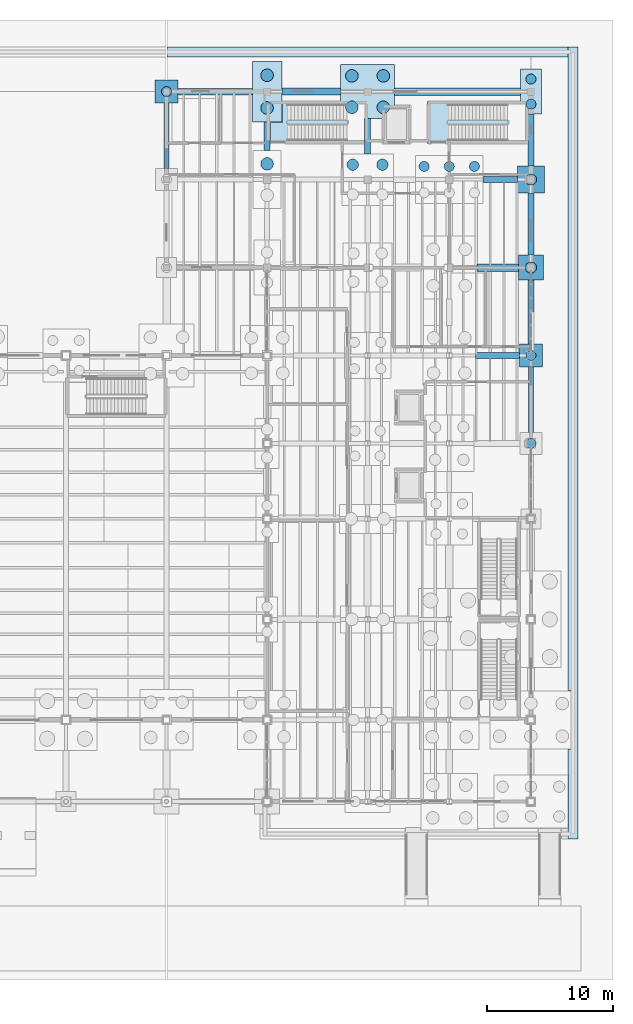
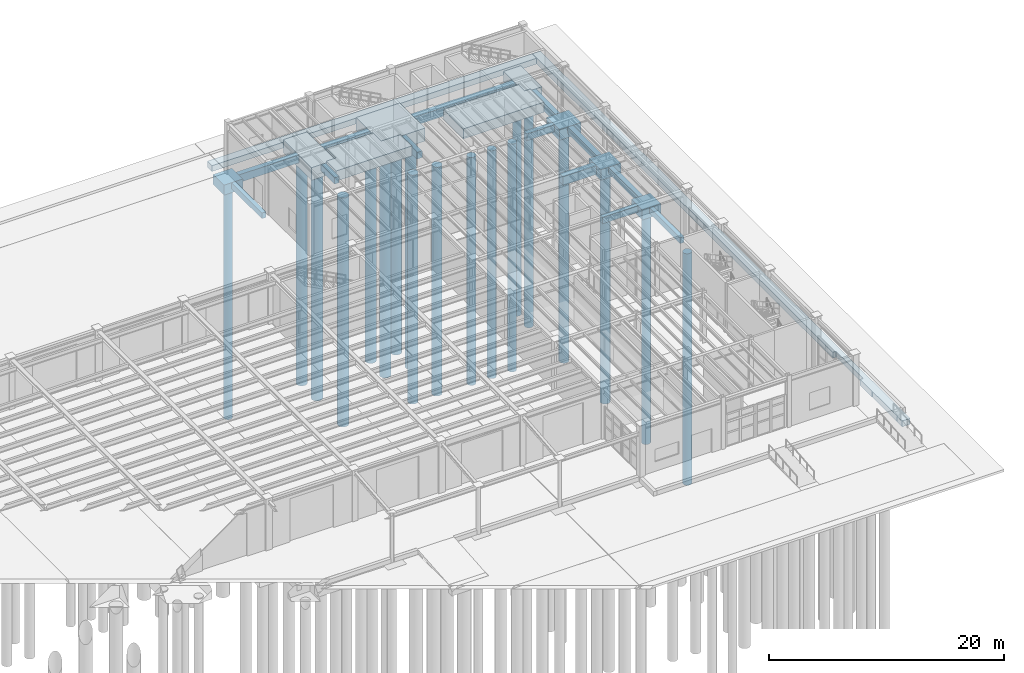
# One storey, part 10 of 86: 24 footings, 19 piles.
"""IFC4 building model written with IfcOpenShell, lengths in metres."""

from ifc_helpers import new_model, si_unit, direction, frame, origin, origin_2d, place, context, subcontext, project, spatial, polyline, rectangle, circle, outline, extrude, material, material_profile, profile_set, type_object, element, save


model = new_model("IFC4")

# Units and contexts
model_context = context("Model", 3, precision=1e-05, world=origin(), true_north=direction((0.0, 1.0)))
body_context = subcontext(model_context, "Body", "Model", "MODEL_VIEW")
ifc_project = project(units=[si_unit("LENGTHUNIT", "METRE"), si_unit("AREAUNIT", "SQUARE_METRE"), si_unit("VOLUMEUNIT", "CUBIC_METRE"), si_unit("PLANEANGLEUNIT", "RADIAN"), si_unit("MASSUNIT", "GRAM", prefix="KILO"), si_unit("THERMODYNAMICTEMPERATUREUNIT", "KELVIN"), si_unit("POWERUNIT", "WATT")], contexts=[model_context])

# Site, building, storey
site_placement = place(None, origin())
site = spatial("IfcSite", under=ifc_project, at=site_placement, CompositionType="ELEMENT")
building_placement = place(site_placement, origin())
building = spatial("IfcBuilding", under=site, at=building_placement, Name="Zhenchuan Central Fire Station", CompositionType="ELEMENT")
storey_placement = place(building_placement, frame((0.0, 0.0, 0.449951171875)))
storey = spatial("IfcBuildingStorey", under=building, at=storey_placement, Name="L01", CompositionType="ELEMENT", Elevation=0.449951171875)

# Footings
ifc_material_1 = material(Name="Concrete C35/45", Category="concrete")
footing_type_1 = type_object("IfcFootingType", Name="FB-400x600", PredefinedType="FOOTING_BEAM", material=ifc_material_1)
footing_1_placement = place(storey_placement, frame((0.0, 0.0, -1.050048828125)))
element("IfcFooting", 1, at=footing_1_placement, inside=storey, type_object=footing_type_1, Name="Foundation Tie Beam FB-Y-191", PredefinedType="FOOTING_BEAM", context=body_context, shape_type="SweptSolid", body=[
    extrude(outline(polyline([(131.800048828125, 50.375), (132.199951171875, 50.375), (132.199951171875, 55.574951171875), (131.800048828125, 55.574951171875), (131.800048828125, 50.375)])), origin(), (0.0, 0.0, 1.0), 0.60009765625),
])
footing_2_placement = place(storey_placement, frame((0.0, 0.0, -1.050048828125)))
element("IfcFooting", 2, at=footing_2_placement, inside=storey, type_object=footing_type_1, Name="Foundation Tie Beam FB-Y-219", PredefinedType="FOOTING_BEAM", context=body_context, shape_type="SweptSolid", body=[
    extrude(outline(polyline([(160.800048828125, 29.375), (161.199951171875, 29.375), (161.199951171875, 34.574951171875), (160.800048828125, 34.574951171875), (160.800048828125, 29.375)])), origin(), (0.0, 0.0, 1.0), 0.60009765625),
])
footing_type_2 = type_object("IfcFootingType", Name="FB-450x650", PredefinedType="FOOTING_BEAM", material=ifc_material_1)
footing_3_placement = place(storey_placement, frame((0.0, 0.0, -1.099853515625)))
element("IfcFooting", 3, at=footing_3_placement, inside=storey, type_object=footing_type_2, Name="Foundation Tie Beam FB-X-087", PredefinedType="FOOTING_BEAM", context=body_context, shape_type="SweptSolid", body=[
    extrude(outline(polyline([(156.60009765625, 35.27490234375), (160.074951171875, 35.27490234375), (160.074951171875, 35.72509765625), (156.60009765625, 35.72509765625), (156.60009765625, 35.27490234375)])), origin(), (0.0, 0.0, 1.0), 0.64990234375),
])
footing_4_placement = place(storey_placement, frame((0.0, 0.0, -1.099853515625)))
element("IfcFooting", 4, at=footing_4_placement, inside=storey, type_object=footing_type_2, Name="Foundation Tie Beam FB-Y-199", PredefinedType="FOOTING_BEAM", context=body_context, shape_type="SweptSolid", body=[
    extrude(outline(polyline([(139.77490234375, 51.800048828125), (140.22509765625, 51.800048828125), (140.22509765625, 54.10009765625), (139.77490234375, 54.10009765625), (139.77490234375, 51.800048828125)])), origin(), (0.0, 0.0, 1.0), 0.64990234375),
])
footing_5_placement = place(storey_placement, frame((0.0, 0.0, -1.099853515625)))
element("IfcFooting", 5, at=footing_5_placement, inside=storey, type_object=footing_type_2, Name="Foundation Tie Beam FB-Y-220", PredefinedType="FOOTING_BEAM", context=body_context, shape_type="SweptSolid", body=[
    extrude(outline(polyline([(160.77490234375, 36.425048828125), (161.22509765625, 36.425048828125), (161.22509765625, 41.5), (160.77490234375, 41.5), (160.77490234375, 36.425048828125)])), origin(), (0.0, 0.0, 1.0), 0.64990234375),
])
footing_type_3 = type_object("IfcFootingType", Name="FB-500x700", PredefinedType="FOOTING_BEAM", material=ifc_material_1)
footing_6_placement = place(storey_placement, frame((0.0, 0.0, -1.14990234375)))
element("IfcFooting", 6, at=footing_6_placement, inside=storey, type_object=footing_type_3, Name="Foundation Tie Beam FB-X-109", PredefinedType="FOOTING_BEAM", context=body_context, shape_type="SweptSolid", body=[
    extrude(outline(polyline([(157.199951171875, 49.25), (159.925048828125, 49.25), (159.925048828125, 49.75), (157.199951171875, 49.75), (157.199951171875, 49.25)])), origin(), (0.0, 0.0, 1.0), 0.699951171875),
])
footing_7_placement = place(storey_placement, frame((0.0, 0.0, -1.14990234375)))
element("IfcFooting", 7, at=footing_7_placement, inside=storey, type_object=footing_type_3, Name="Foundation Tie Beam FB-Y-207", PredefinedType="FOOTING_BEAM", context=body_context, shape_type="SweptSolid", body=[
    extrude(outline(polyline([(147.75, 51.550048828125), (148.25, 51.550048828125), (148.25, 54.35009765625), (147.75, 54.35009765625), (147.75, 51.550048828125)])), origin(), (0.0, 0.0, 1.0), 0.699951171875),
])
footing_8_placement = place(storey_placement, frame((0.0, 0.0, -1.14990234375)))
element("IfcFooting", 8, at=footing_8_placement, inside=storey, type_object=footing_type_3, Name="Foundation Tie Beam FB-Y-221", PredefinedType="FOOTING_BEAM", context=body_context, shape_type="SweptSolid", body=[
    extrude(outline(polyline([(160.75, 43.5), (161.25, 43.5), (161.25, 48.425048828125), (160.75, 48.425048828125), (160.75, 43.5)])), origin(), (0.0, 0.0, 1.0), 0.699951171875),
])
footing_type_4 = type_object("IfcFootingType", Name="FB-500x800", PredefinedType="FOOTING_BEAM", material=ifc_material_1)
footing_9_placement = place(storey_placement, frame((0.0, 0.0, -1.25)))
element("IfcFooting", 9, at=footing_9_placement, inside=storey, type_object=footing_type_4, Name="Foundation Tie Beam FB-X-117", PredefinedType="FOOTING_BEAM", context=body_context, shape_type="SweptSolid", body=[
    extrude(outline(polyline([(132.925048828125, 56.25), (138.824951171875, 56.25), (138.824951171875, 56.75), (132.925048828125, 56.75), (132.925048828125, 56.25)])), origin(), (0.0, 0.0, 1.0), 0.800048828125),
])
footing_10_placement = place(storey_placement, frame((0.0, 0.0, -1.25)))
element("IfcFooting", 10, at=footing_10_placement, inside=storey, type_object=footing_type_4, Name="Foundation Tie Beam FB-Y-222", PredefinedType="FOOTING_BEAM", context=body_context, shape_type="SweptSolid", body=[
    extrude(outline(polyline([(160.75, 50.574951171875), (161.25, 50.574951171875), (161.25, 54.699951171875), (160.75, 54.699951171875), (160.75, 50.574951171875)])), origin(), (0.0, 0.0, 1.0), 0.800048828125),
])
footing_type_5 = type_object("IfcFootingType", Name="FB-550x850", PredefinedType="FOOTING_BEAM", material=ifc_material_1)
footing_11_placement = place(storey_placement, frame((0.0, 0.0, -1.300048828125)))
element("IfcFooting", 11, at=footing_11_placement, inside=storey, type_object=footing_type_5, Name="Foundation Tie Beam FB-X-118", PredefinedType="FOOTING_BEAM", context=body_context, shape_type="SweptSolid", body=[
    extrude(outline(polyline([(141.175048828125, 56.22509765625), (145.85009765625, 56.22509765625), (145.85009765625, 56.77490234375), (141.175048828125, 56.77490234375), (141.175048828125, 56.22509765625)])), origin(), (0.0, 0.0, 1.0), 0.85009765625),
])
footing_type_6 = type_object("IfcFootingType", Name="FB-600x900", PredefinedType="FOOTING_BEAM", material=ifc_material_1)
footing_12_placement = place(storey_placement, frame((0.0, 0.0, -1.349853515625)))
element("IfcFooting", 12, at=footing_12_placement, inside=storey, type_object=footing_type_6, Name="Foundation Tie Beam FB-X-098", PredefinedType="FOOTING_BEAM", context=body_context, shape_type="SweptSolid", body=[
    extrude(outline(polyline([(156.699951171875, 42.199951171875), (160.0, 42.199951171875), (160.0, 42.800048828125), (156.699951171875, 42.800048828125), (156.699951171875, 42.199951171875)])), origin(), (0.0, 0.0, 1.0), 0.89990234375),
])
footing_13_placement = place(storey_placement, frame((0.0, 0.0, -1.349853515625)))
element("IfcFooting", 13, at=footing_13_placement, inside=storey, type_object=footing_type_6, Name="Foundation Tie Beam FB-X-119", PredefinedType="FOOTING_BEAM", context=body_context, shape_type="SweptSolid", body=[
    extrude(outline(polyline([(150.14990234375, 56.199951171875), (160.14990234375, 56.199951171875), (160.14990234375, 56.800048828125), (150.14990234375, 56.800048828125), (150.14990234375, 56.199951171875)])), origin(), (0.0, 0.0, 1.0), 0.89990234375),
])
ifc_material_2 = material(Name="Concrete C40/50", Category="concrete")
footing_type_7 = type_object("IfcFootingType", Name="PAD-CORE", PredefinedType="PAD_FOOTING", material=ifc_material_2)
footing_14_placement = place(storey_placement, frame((0.0, 0.0, -1.300048828125)))
element("IfcFooting", 14, at=footing_14_placement, inside=storey, type_object=footing_type_7, Name="ST-12 Core Foundation Mat Footing", PredefinedType="PAD_FOOTING", context=body_context, shape_type="SweptSolid", body=[
    extrude(outline(polyline([(145.81005859375, 55.72509765625), (145.81005859375, 54.31005859375), (147.7099609375, 54.31005859375), (147.7099609375, 52.375), (140.264892578125, 52.375), (140.264892578125, 54.06005859375), (141.215087890625, 54.06005859375), (141.215087890625, 55.72509765625), (145.81005859375, 55.72509765625)])), origin(), (0.0, 0.0, 1.0), 1.050048828125),
])
footing_15_placement = place(storey_placement, frame((0.0, 0.0, -1.300048828125)))
element("IfcFooting", 15, at=footing_15_placement, inside=storey, type_object=footing_type_7, Name="ST-13 Core Foundation Mat Footing", PredefinedType="PAD_FOOTING", context=body_context, shape_type="SweptSolid", body=[
    extrude(outline(polyline([(152.764892578125, 52.375), (152.764892578125, 55.72509765625), (160.110107421875, 55.72509765625), (160.110107421875, 54.659912109375), (160.7099609375, 54.659912109375), (160.7099609375, 52.375), (152.764892578125, 52.375)])), origin(), (0.0, 0.0, 1.0), 1.050048828125),
])
footing_type_8 = type_object("IfcFootingType", Name="PC-03", PredefinedType="PILE_CAP", material=ifc_material_2)
for number, where, z_axis, x_axis, name in (
    (16, (132.0, 56.5, -1.5), (0.0, 0.0, 1.0), (1.0, 0.0, 0.0), "Pile Cap PC-03 at (132.0,56.5)"),
    (17, (161.0, 35.5, -1.5), (0.0, 0.0, 1.0), (1.0, 0.0, 0.0), "Pile Cap PC-03 at (161.0,35.5)"),
):
    element("IfcFooting", number, at=place(storey_placement, frame(where, z_axis=z_axis, x_axis=x_axis)), inside=storey, type_object=footing_type_8, Name=name, PredefinedType="PILE_CAP", context=body_context, shape_type="SweptSolid", body=[
        extrude(rectangle(XDim=1.85009765625, YDim=1.85009765625, at=origin_2d()), origin(), (0.0, 0.0, 1.0), 1.050048828125),
    ])
footing_type_9 = type_object("IfcFootingType", Name="PC-04", PredefinedType="PILE_CAP", material=ifc_material_2)
footing_16_placement = place(storey_placement, frame((161.0, 42.5, -1.550048828125), z_axis=(0.0, 0.0, 1.0), x_axis=(1.0, 0.0, 0.0)))
element("IfcFooting", 18, at=footing_16_placement, inside=storey, type_object=footing_type_9, Name="Pile Cap PC-04 at (161.0,42.5)", PredefinedType="PILE_CAP", context=body_context, shape_type="SweptSolid", body=[
    extrude(rectangle(XDim=2.0, YDim=2.0, at=origin_2d()), origin(), (0.0, 0.0, 1.0), 1.10009765625),
])
footing_type_10 = type_object("IfcFootingType", Name="PC-05", PredefinedType="PILE_CAP", material=ifc_material_2)
footing_17_placement = place(storey_placement, frame((161.0, 49.5, -1.570068359375), z_axis=(0.0, 0.0, 1.0), x_axis=(1.0, 0.0, 0.0)))
element("IfcFooting", 19, at=footing_17_placement, inside=storey, type_object=footing_type_10, Name="Pile Cap PC-05 at (161.0,49.5)", PredefinedType="PILE_CAP", context=body_context, shape_type="SweptSolid", body=[
    extrude(rectangle(XDim=2.14990234375, YDim=2.14990234375, at=origin_2d()), origin(), (0.0, 0.0, 1.0), 1.1201171875),
])
footing_type_11 = type_object("IfcFootingType", Name="PC-06", PredefinedType="PILE_CAP", material=ifc_material_2)
footing_18_placement = place(storey_placement, frame((161.0, 56.5, -1.550048828125), z_axis=(0.0, 0.0, 1.0), x_axis=(1.0, 0.0, 0.0)))
element("IfcFooting", 20, at=footing_18_placement, inside=storey, type_object=footing_type_11, Name="Pile Cap PC-06 at (161.0,56.5)", PredefinedType="PILE_CAP", context=body_context, shape_type="SweptSolid", body=[
    extrude(rectangle(XDim=1.699951171875, YDim=3.60009765625, at=origin_2d()), origin(), (0.0, 0.0, 1.0), 1.10009765625),
])
footing_type_12 = type_object("IfcFootingType", Name="PC-12", PredefinedType="PILE_CAP", material=ifc_material_2)
footing_19_placement = place(storey_placement, frame((140.0, 56.5, -1.77001953125), z_axis=(0.0, 0.0, 1.0), x_axis=(1.0, 0.0, 0.0)))
element("IfcFooting", 21, at=footing_19_placement, inside=storey, type_object=footing_type_12, Name="Pile Cap PC-12 at (140.0,56.5)", PredefinedType="PILE_CAP", context=body_context, shape_type="SweptSolid", body=[
    extrude(rectangle(XDim=2.35009765625, YDim=4.800048828125, at=origin_2d()), origin(), (0.0, 0.0, 1.0), 1.320068359375),
])
footing_type_13 = type_object("IfcFootingType", Name="PC-21", PredefinedType="PILE_CAP", material=ifc_material_2)
footing_20_placement = place(storey_placement, frame((148.0, 56.5, -1.800048828125), z_axis=(0.0, 0.0, 1.0), x_axis=(1.0, 0.0, 0.0)))
element("IfcFooting", 22, at=footing_20_placement, inside=storey, type_object=footing_type_13, Name="Pile Cap PC-21 at (148.0,56.5)", PredefinedType="PILE_CAP", context=body_context, shape_type="SweptSolid", body=[
    extrude(rectangle(XDim=4.300048828125, YDim=4.300048828125, at=origin_2d()), origin(), (0.0, 0.0, 1.0), 1.35009765625),
])

# Piles
ifc_material_profile_1 = material_profile(ifc_material_1, circle(Radius=0.5, at=origin_2d()), Name="PILE D1000")
ifc_profile_set_1 = profile_set([ifc_material_profile_1], Name="Concrete C35/45")
pile_type_1 = type_object("IfcPileType", Name="PILE-D1000", PredefinedType="BORED", material=ifc_profile_set_1)
pile_1_placement = place(storey_placement, frame((140.0, 50.75, -1.64990234375), z_axis=(0.0, 0.0, -1.0), x_axis=(1.0, 0.0, 0.0)))
element("IfcPile", 23, at=pile_1_placement, inside=storey, type_object=pile_type_1, Name="Bored Pile 107-2", PredefinedType="BORED", context=body_context, shape_type="SweptSolid", body=[
    extrude(circle(Radius=0.5, at=origin_2d()), origin(), (0.0, 0.0, 1.0), 23.800048828125),
])
for number, where, z_axis, x_axis, name in (
    (24, (140.0, 55.199951171875, -1.669921875), (0.0, 0.0, -1.0), (1.0, 0.0, 0.0), "Bored Pile 108-1"),
    (25, (140.0, 57.800048828125, -1.669921875), (0.0, 0.0, -1.0), (1.0, 0.0, 0.0), "Bored Pile 108-2"),
):
    element("IfcPile", number, at=place(storey_placement, frame(where, z_axis=z_axis, x_axis=x_axis)), inside=storey, type_object=pile_type_1, Name=name, PredefinedType="BORED", context=body_context, shape_type="SweptSolid", body=[
        extrude(circle(Radius=0.5, at=origin_2d()), origin(), (0.0, 0.0, 1.0), 23.780029296875),
    ])
for number, where, z_axis, x_axis, name in (
    (26, (146.75, 55.25, -1.699951171875), (0.0, 0.0, -1.0), (1.0, 0.0, 0.0), "Bored Pile 117-1"),
    (27, (149.25, 55.25, -1.699951171875), (0.0, 0.0, -1.0), (1.0, 0.0, 0.0), "Bored Pile 117-2"),
    (28, (146.75, 57.75, -1.699951171875), (0.0, 0.0, -1.0), (1.0, 0.0, 0.0), "Bored Pile 117-3"),
    (29, (149.25, 57.75, -1.699951171875), (0.0, 0.0, -1.0), (1.0, 0.0, 0.0), "Bored Pile 117-4"),
):
    element("IfcPile", number, at=place(storey_placement, frame(where, z_axis=z_axis, x_axis=x_axis)), inside=storey, type_object=pile_type_1, Name=name, PredefinedType="BORED", context=body_context, shape_type="SweptSolid", body=[
        extrude(circle(Radius=0.5, at=origin_2d()), origin(), (0.0, 0.0, 1.0), 23.75),
    ])
ifc_material_profile_2 = material_profile(ifc_material_1, circle(Radius=0.39990234375, at=origin_2d()), Name="PILE D800")
ifc_profile_set_2 = profile_set([ifc_material_profile_2], Name="Concrete C35/45")
pile_type_2 = type_object("IfcPileType", Name="PILE-D800", PredefinedType="BORED", material=ifc_profile_set_2)
pile_2_placement = place(storey_placement, frame((132.0, 56.5, -1.39990234375), z_axis=(0.0, 0.0, -1.0), x_axis=(1.0, 0.0, 0.0)))
element("IfcPile", 30, at=pile_2_placement, inside=storey, type_object=pile_type_2, Name="Bored Pile 099-1", PredefinedType="BORED", context=body_context, shape_type="SweptSolid", body=[
    extrude(circle(Radius=0.39990234375, at=origin_2d()), origin(), (0.0, 0.0, 1.0), 24.050048828125),
])
for number, where, z_axis, x_axis, name in (
    (31, (152.5, 50.550048828125, -1.75), (0.0, 0.0, -1.0), (1.0, 0.0, 0.0), "Bored Pile 125-4"),
    (32, (154.5, 50.550048828125, -1.75), (0.0, 0.0, -1.0), (1.0, 0.0, 0.0), "Bored Pile 125-5"),
    (33, (156.5, 50.550048828125, -1.75), (0.0, 0.0, -1.0), (1.0, 0.0, 0.0), "Bored Pile 125-6"),
):
    element("IfcPile", number, at=place(storey_placement, frame(where, z_axis=z_axis, x_axis=x_axis)), inside=storey, type_object=pile_type_2, Name=name, PredefinedType="BORED", context=body_context, shape_type="SweptSolid", body=[
        extrude(circle(Radius=0.39990234375, at=origin_2d()), origin(), (0.0, 0.0, 1.0), 23.699951171875),
    ])
pile_3_placement = place(storey_placement, frame((161.0, 28.5, -1.369873046875), z_axis=(0.0, 0.0, -1.0), x_axis=(1.0, 0.0, 0.0)))
element("IfcPile", 34, at=pile_3_placement, inside=storey, type_object=pile_type_2, Name="Bored Pile 130-1", PredefinedType="BORED", context=body_context, shape_type="SweptSolid", body=[
    extrude(circle(Radius=0.39990234375, at=origin_2d()), origin(), (0.0, 0.0, 1.0), 24.080078125),
])
pile_4_placement = place(storey_placement, frame((161.0, 35.5, -1.39990234375), z_axis=(0.0, 0.0, -1.0), x_axis=(1.0, 0.0, 0.0)))
element("IfcPile", 35, at=pile_4_placement, inside=storey, type_object=pile_type_2, Name="Bored Pile 131-1", PredefinedType="BORED", context=body_context, shape_type="SweptSolid", body=[
    extrude(circle(Radius=0.39990234375, at=origin_2d()), origin(), (0.0, 0.0, 1.0), 24.050048828125),
])
for number, where, z_axis, x_axis, name in (
    (36, (161.0, 55.5, -1.449951171875), (0.0, 0.0, -1.0), (1.0, 0.0, 0.0), "Bored Pile 134-1"),
    (37, (161.0, 57.5, -1.449951171875), (0.0, 0.0, -1.0), (1.0, 0.0, 0.0), "Bored Pile 134-2"),
):
    element("IfcPile", number, at=place(storey_placement, frame(where, z_axis=z_axis, x_axis=x_axis)), inside=storey, type_object=pile_type_2, Name=name, PredefinedType="BORED", context=body_context, shape_type="SweptSolid", body=[
        extrude(circle(Radius=0.39990234375, at=origin_2d()), origin(), (0.0, 0.0, 1.0), 24.0),
    ])
ifc_material_profile_3 = material_profile(ifc_material_1, circle(Radius=0.449951171875, at=origin_2d()), Name="PILE D900")
ifc_profile_set_3 = profile_set([ifc_material_profile_3], Name="Concrete C35/45")
pile_type_3 = type_object("IfcPileType", Name="PILE-D900", PredefinedType="BORED", material=ifc_profile_set_3)
for number, where, z_axis, x_axis, name in (
    (38, (146.820068359375, 50.679931640625, -1.64990234375), (0.0, 0.0, -1.0), (1.0, 0.0, 0.0), "Bored Pile 116-3"),
    (39, (149.179931640625, 50.679931640625, -1.64990234375), (0.0, 0.0, -1.0), (1.0, 0.0, 0.0), "Bored Pile 116-4"),
):
    element("IfcPile", number, at=place(storey_placement, frame(where, z_axis=z_axis, x_axis=x_axis)), inside=storey, type_object=pile_type_3, Name=name, PredefinedType="BORED", context=body_context, shape_type="SweptSolid", body=[
        extrude(circle(Radius=0.449951171875, at=origin_2d()), origin(), (0.0, 0.0, 1.0), 23.800048828125),
    ])
pile_5_placement = place(storey_placement, frame((161.0, 42.5, -1.449951171875), z_axis=(0.0, 0.0, -1.0), x_axis=(1.0, 0.0, 0.0)))
element("IfcPile", 40, at=pile_5_placement, inside=storey, type_object=pile_type_3, Name="Bored Pile 132-1", PredefinedType="BORED", context=body_context, shape_type="SweptSolid", body=[
    extrude(circle(Radius=0.449951171875, at=origin_2d()), origin(), (0.0, 0.0, 1.0), 24.0),
])
pile_6_placement = place(storey_placement, frame((161.0, 49.5, -1.469970703125), z_axis=(0.0, 0.0, -1.0), x_axis=(1.0, 0.0, 0.0)))
element("IfcPile", 41, at=pile_6_placement, inside=storey, type_object=pile_type_3, Name="Bored Pile 133-1", PredefinedType="BORED", context=body_context, shape_type="SweptSolid", body=[
    extrude(circle(Radius=0.449951171875, at=origin_2d()), origin(), (0.0, 0.0, 1.0), 23.97998046875),
])

# Footings
footing_type_14 = type_object("IfcFootingType", Name="SF-800x600", PredefinedType="STRIP_FOOTING", material=ifc_material_1)
footing_21_placement = place(storey_placement, frame((0.0, 0.0, -1.599853515625)))
element("IfcFooting", 42, at=footing_21_placement, inside=storey, type_object=footing_type_14, Name="Plinth Perimeter Strip Footing EAST 02", PredefinedType="STRIP_FOOTING", context=body_context, shape_type="SweptSolid", body=[
    extrude(outline(polyline([(163.9619140625, 60.06201171875), (164.761962890625, 60.06201171875), (164.761962890625, -2.9619140625), (163.9619140625, -2.9619140625), (163.9619140625, -2.1298828125), (163.97998046875, -2.1298828125), (163.97998046875, 2.1298828125), (163.9619140625, 2.1298828125), (163.9619140625, 4.169921875), (164.280029296875, 4.169921875), (164.280029296875, 8.830078125), (163.9619140625, 8.830078125), (163.9619140625, 60.06201171875)])), origin(), (0.0, 0.0, 1.0), 0.599853515625),
])
footing_22_placement = place(storey_placement, frame((0.0, 0.0, -1.599853515625)))
element("IfcFooting", 43, at=footing_22_placement, inside=storey, type_object=footing_type_14, Name="Plinth Perimeter Strip Footing NORTH-E 05", PredefinedType="STRIP_FOOTING", context=body_context, shape_type="SweptSolid", body=[
    extrude(outline(polyline([(132.02490234375, 59.261962890625), (132.02490234375, 60.06201171875), (163.9580078125, 60.06201171875), (163.9580078125, 59.261962890625), (132.02490234375, 59.261962890625)])), origin(), (0.0, 0.0, 1.0), 0.599853515625),
])

save(model, "model.ifc")
